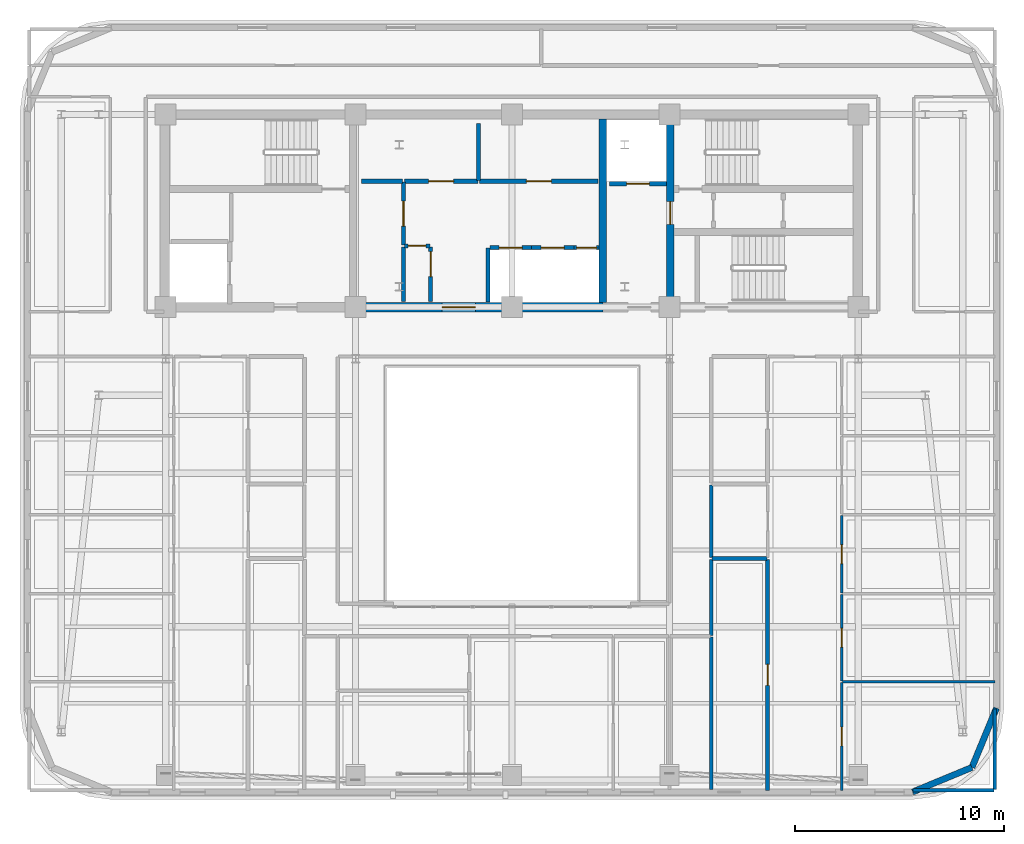
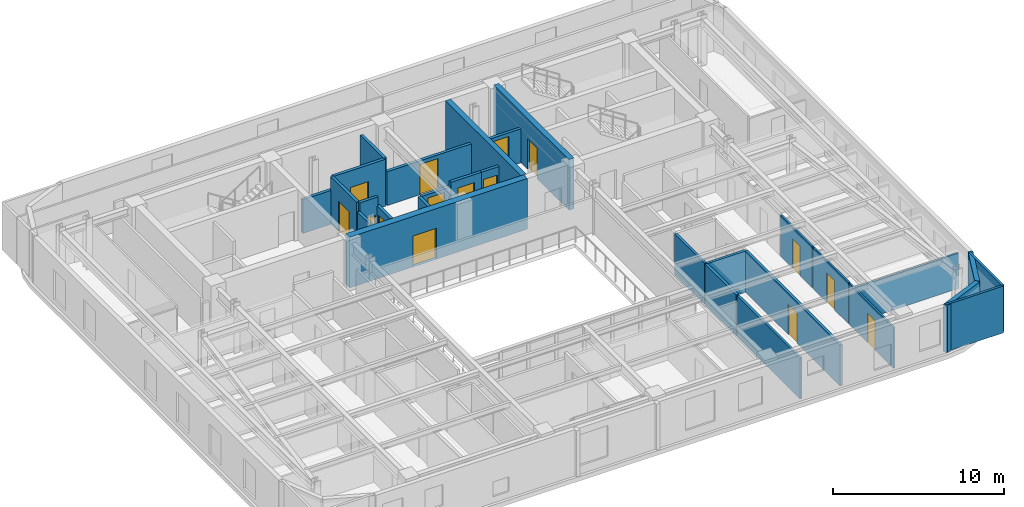
# One storey, part 8 of 14: 29 walls, 15 doors, 15 openings.
"""IFC4 building model written with IfcOpenShell, lengths in metres."""

from ifc_helpers import new_model, si_unit, direction, frame, frame_2d, origin, place, context, subcontext, project, spatial, rectangle, extrude, material, layer, layer_set, type_object, element, fill, save


model = new_model("IFC4")

# Units and contexts
model_context = context("Model", 3, precision=1e-05, world=origin(), true_north=direction((0.0, 1.0)))
body_context = subcontext(model_context, "Body", "Model", "MODEL_VIEW")
ifc_project = project(units=[si_unit("LENGTHUNIT", "METRE"), si_unit("AREAUNIT", "SQUARE_METRE"), si_unit("VOLUMEUNIT", "CUBIC_METRE"), si_unit("PLANEANGLEUNIT", "RADIAN"), si_unit("MASSUNIT", "GRAM", prefix="KILO")], contexts=[model_context])

# Site, building, storey
site_placement = place(None, origin())
site = spatial("IfcSite", under=ifc_project, at=site_placement, CompositionType="ELEMENT")
building_placement = place(site_placement, origin())
building = spatial("IfcBuilding", under=site, at=building_placement, Name="Zarnavel Station Tower", CompositionType="ELEMENT")
storey_placement = place(building_placement, frame((0.0, 0.0, 229.199951171875)))
storey = spatial("IfcBuildingStorey", under=building, at=storey_placement, Name="L62", CompositionType="ELEMENT", Elevation=229.199951171875)

# Wall
ifc_material_1 = material(Name="Concrete C50/60", Category="concrete")
ifc_layer_1 = layer(ifc_material_1, 0.35009765625)
ifc_layer_set_1 = layer_set([ifc_layer_1], Name="CW_350")
wall_type_1 = type_object("IfcWallType", Name="CW_350", PredefinedType="SHEAR", material=ifc_layer_set_1)
wall_1_placement = place(storey_placement, frame((33.14990234375, 28.044921875, 0.0), z_axis=(0.0, 0.0, 1.0), x_axis=(0.0, 1.0, 0.0)))
element("IfcWall", 1, at=wall_1_placement, inside=storey, type_object=wall_type_1, Name="L62 Rear Core Shear Wall DIV-E", PredefinedType="SHEAR", context=body_context, shape_type="SweptSolid", body=[
    extrude(rectangle(XDim=8.780029296875, YDim=0.35009765625, at=frame_2d((4.39013671875, 0.0))), origin(), (0.0, 0.0, 1.0), 3.60009765625),
])

# Wall, opening, door
wall_2_placement = place(storey_placement, frame((36.3798828125, 28.044921875, 0.0), z_axis=(0.0, 0.0, 1.0), x_axis=(0.0, 1.0, 0.0)))
wall_2 = element("IfcWall", 2, at=wall_2_placement, inside=storey, type_object=wall_type_1, Name="L62 Rear Core Shear Wall DIV-S2", PredefinedType="SHEAR", context=body_context, shape_type="SweptSolid", body=[
    extrude(rectangle(XDim=8.780029296875, YDim=0.35009765625, at=frame_2d((4.39013671875, 0.0))), origin(), (0.0, 0.0, 1.0), 3.60009765625),
])
opening_1_placement = place(wall_2_placement, frame((3.735107421875, 0.0, 0.0)))
opening_1 = element("IfcOpeningElement", 3, at=opening_1_placement, cuts=wall_2, Name="Opening FD01", PredefinedType="OPENING", context=body_context, shape_type="SweptSolid", body=[
    extrude(rectangle(XDim=1.10009765625, YDim=2.14990234375, at=frame_2d((0.550048828125, 1.074951171875))), frame((0.0, 0.18505859375, 0.0), z_axis=(0.0, -1.0, 0.0), x_axis=(1.0, 0.0, 0.0)), (0.0, 0.0, 1.0), 0.3701171875),
])
ifc_material_2 = material(Name="Painted Galvanised Steel and Hardwood Leaf", Category="steel")
door_type_1 = type_object("IfcDoorType", Name="ID_STAIR_1100", OperationType="NOTDEFINED", PredefinedType="DOOR", material=ifc_material_2)
door_1_placement = place(opening_1_placement, origin())
door_1 = element("IfcDoor", 4, at=door_1_placement, inside=storey, type_object=door_type_1, Name="L62 East Stair Vestibule Fire Door", OperationType="SINGLE_SWING_LEFT", OverallHeight=2.14990234375, OverallWidth=1.10009765625, PredefinedType="DOOR", context=body_context, shape_type="SweptSolid", body=[
    extrude(rectangle(XDim=1.10009765625, YDim=2.14990234375, at=frame_2d((0.550048828125, 1.074951171875))), frame((0.0, 0.02490234375, 0.0), z_axis=(0.0, -1.0, 0.0), x_axis=(1.0, 0.0, 0.0)), (0.0, 0.0, 1.0), 0.050048828125),
])
fill(opening_1, door_1)

ifc_material_3 = material(Name="Concrete C50/60", Category="concrete")
ifc_layer_2 = layer(ifc_material_3, 0.449951171875)
ifc_layer_set_2 = layer_set([ifc_layer_2], Name="CW_450")
wall_type_2 = type_object("IfcWallType", Name="CW_450", PredefinedType="SHEAR", material=ifc_layer_set_2)
wall_3_placement = place(storey_placement, frame((33.14990234375, 27.820068359375, 0.0), z_axis=(0.0, 0.0, 1.0), x_axis=(-1.0, 0.0, 0.0)))
wall_3 = element("IfcWall", 5, at=wall_3_placement, inside=storey, type_object=wall_type_2, Name="L62 Rear Core Shear Wall S-M", PredefinedType="SHEAR", context=body_context, shape_type="SweptSolid", body=[
    extrude(rectangle(XDim=11.969970703125, YDim=0.449951171875, at=frame_2d((5.98486328125, 0.0))), origin(), (0.0, 0.0, 1.0), 3.60009765625),
])
opening_2_placement = place(wall_3_placement, frame((6.10009765625, 0.0, 0.0)))
opening_2 = element("IfcOpeningElement", 6, at=opening_2_placement, cuts=wall_3, Name="Opening ID03", PredefinedType="OPENING", context=body_context, shape_type="SweptSolid", body=[
    extrude(rectangle(XDim=1.60009765625, YDim=2.199951171875, at=frame_2d((0.800048828125, 1.10009765625))), frame((0.0, 0.23486328125, 0.0), z_axis=(0.0, -1.0, 0.0), x_axis=(1.0, 0.0, 0.0)), (0.0, 0.0, 1.0), 0.469970703125),
])
ifc_material_4 = material(Name="Painted Galvanised Steel and Hardwood Leaf", Category="steel")
door_type_2 = type_object("IfcDoorType", Name="ID_PUBLIC_1600", OperationType="DOUBLE_DOOR_SINGLE_SWING", PredefinedType="DOOR", material=ifc_material_4)
door_2_placement = place(opening_2_placement, origin())
door_2 = element("IfcDoor", 7, at=door_2_placement, inside=storey, type_object=door_type_2, Name="L62 Passenger Lift Lobby Double Door", OperationType="SINGLE_SWING_LEFT", OverallHeight=2.199951171875, OverallWidth=1.60009765625, PredefinedType="DOOR", context=body_context, shape_type="SweptSolid", body=[
    extrude(rectangle(XDim=1.60009765625, YDim=2.199951171875, at=frame_2d((0.800048828125, 1.10009765625))), frame((0.0, 0.02490234375, 0.0), z_axis=(0.0, -1.0, 0.0), x_axis=(1.0, 0.0, 0.0)), (0.0, 0.0, 1.0), 0.050048828125),
])
fill(opening_2, door_2)

# Walls
ifc_material_5 = material(Name="Precast concrete C45/55 (Dark Basalt Finish)", Category="masonry")
ifc_layer_3 = layer(ifc_material_5, 0.300048828125)
ifc_layer_set_3 = layer_set([ifc_layer_3], Name="EW_BASALT_300")
wall_type_3 = type_object("IfcWallType", Name="EW_BASALT_300", PredefinedType="SOLIDWALL", material=ifc_layer_set_3)
wall_4_placement = place(storey_placement, frame((50.842529296875, 5.75732421875, 0.0), z_axis=(0.0, 0.0, 1.0), x_axis=(-0.92389884758, -0.382636798336, 0.0)))
element("IfcWall", 8, at=wall_4_placement, inside=storey, type_object=wall_type_3, Name="L62 Exterior Basalt Masonry Frame Wall 01", PredefinedType="SOLIDWALL", context=body_context, shape_type="SweptSolid", body=[
    extrude(rectangle(XDim=3.07666015625, YDim=0.300048828125, at=frame_2d((1.538330078125, 0.0))), origin(), (0.0, 0.0, 1.0), 3.340087890625),
])
wall_5_placement = place(storey_placement, frame((52.02001953125, 8.60009765625, 0.0), z_axis=(0.0, 0.0, 1.0), x_axis=(-0.382676475685, -0.923882414032, 0.0)))
element("IfcWall", 9, at=wall_5_placement, inside=storey, type_object=wall_type_3, Name="L62 Exterior Basalt Masonry Frame Wall 02", PredefinedType="SOLIDWALL", context=body_context, shape_type="SweptSolid", body=[
    extrude(rectangle(XDim=3.076904296875, YDim=0.300048828125, at=frame_2d((1.53857421875, 0.0))), origin(), (0.0, 0.0, 1.0), 3.340087890625),
])
ifc_material_6 = material(Name="Gypsum Twin-Stud Acoustic Fire Partition", Category="concrete")
ifc_layer_4 = layer(ifc_material_6, 0.159912109375)
ifc_layer_set_4 = layer_set([ifc_layer_4], Name="PT_DEMISE_160")
wall_type_4 = type_object("IfcWallType", Name="PT_DEMISE_160", PredefinedType="PARTITIONING", material=ifc_layer_set_4)
wall_6_placement = place(storey_placement, frame((38.35009765625, 15.81103515625, 0.0), z_axis=(0.0, 0.0, 1.0), x_axis=(0.0, 1.0, 0.0)))
element("IfcWall", 10, at=wall_6_placement, inside=storey, type_object=wall_type_4, Name="L62 Partition COR-AE-UE1UT", PredefinedType="PARTITIONING", context=body_context, shape_type="SweptSolid", body=[
    extrude(rectangle(XDim=3.488037109375, YDim=0.159912109375, at=frame_2d((1.744140625, 0.0))), origin(), (0.0, 0.0, 1.0), 2.920166015625),
])
wall_7_placement = place(storey_placement, frame((38.35009765625, 4.68994140625, 0.0), z_axis=(0.0, 0.0, 1.0), x_axis=(0.0, 1.0, 0.0)))
element("IfcWall", 11, at=wall_7_placement, inside=storey, type_object=wall_type_4, Name="L62 Enclosure Wall UE1KT", PredefinedType="PARTITIONING", context=body_context, shape_type="SweptSolid", body=[
    extrude(rectangle(XDim=7.330078125, YDim=0.159912109375, at=frame_2d((3.6650390625, 0.0))), origin(), (0.0, 0.0, 1.0), 2.920166015625),
])
wall_8_placement = place(storey_placement, frame((48.030029296875, 4.659912109375, 0.0), z_axis=(0.0, 0.0, 1.0), x_axis=(1.0, 0.0, 0.0)))
element("IfcWall", 12, at=wall_8_placement, inside=storey, type_object=wall_type_4, Name="L62 Enclosure Wall UE1B1", PredefinedType="PARTITIONING", context=body_context, shape_type="SweptSolid", body=[
    extrude(rectangle(XDim=3.8798828125, YDim=0.159912109375, at=frame_2d((1.93994140625, 0.0))), origin(), (0.0, 0.0, 1.0), 3.340087890625),
])
wall_9_placement = place(storey_placement, frame((51.93994140625, 4.68994140625, 0.0), z_axis=(0.0, 0.0, 1.0), x_axis=(0.0, 1.0, 0.0)))
element("IfcWall", 13, at=wall_9_placement, inside=storey, type_object=wall_type_4, Name="L62 Enclosure Wall UE1B1", PredefinedType="PARTITIONING", context=body_context, shape_type="SweptSolid", body=[
    extrude(rectangle(XDim=3.880126953125, YDim=0.159912109375, at=frame_2d((1.93994140625, 0.0))), origin(), (0.0, 0.0, 1.0), 3.340087890625),
])

# Wall, opening, door
ifc_material_7 = material(Name="Gypsum Metal-Stud Interior Partition", Category="concrete")
ifc_layer_5 = layer(ifc_material_7, 0.1201171875)
ifc_layer_set_5 = layer_set([ifc_layer_5], Name="PT_ROOM_120")
wall_type_5 = type_object("IfcWallType", Name="PT_ROOM_120", PredefinedType="PARTITIONING", material=ifc_layer_set_5)
wall_10_placement = place(storey_placement, frame((44.60888671875, 4.659912109375, 0.0), z_axis=(0.0, 0.0, 1.0), x_axis=(0.0, 1.0, 0.0)))
wall_10 = element("IfcWall", 14, at=wall_10_placement, inside=storey, type_object=wall_type_5, Name="L62 Partition UE1LV-UE1B1", PredefinedType="PARTITIONING", context=body_context, shape_type="SweptSolid", body=[
    extrude(rectangle(XDim=5.156982421875, YDim=0.1201171875, at=frame_2d((2.57861328125, 0.0))), origin(), (0.0, 0.0, 1.0), 2.920166015625),
])
opening_3_placement = place(wall_10_placement, frame((2.12841796875, 0.0, 0.0)))
opening_3 = element("IfcOpeningElement", 15, at=opening_3_placement, cuts=wall_10, Name="Opening ID01", PredefinedType="OPENING", context=body_context, shape_type="SweptSolid", body=[
    extrude(rectangle(XDim=0.89990234375, YDim=2.10009765625, at=frame_2d((0.449951171875, 1.050048828125))), frame((0.0, 0.070068359375, 0.0), z_axis=(0.0, -1.0, 0.0), x_axis=(1.0, 0.0, 0.0)), (0.0, 0.0, 1.0), 0.14013671875),
])
ifc_material_8 = material(Name="Painted Galvanised Steel and Hardwood Leaf", Category="steel")
door_type_3 = type_object("IfcDoorType", Name="ID_ROOM_900", OperationType="NOTDEFINED", PredefinedType="DOOR", material=ifc_material_8)
door_3_placement = place(opening_3_placement, origin())
door_3 = element("IfcDoor", 16, at=door_3_placement, inside=storey, type_object=door_type_3, Name="L62 Door UE1LV-UE1B1", OperationType="SINGLE_SWING_RIGHT", OverallHeight=2.10009765625, OverallWidth=0.89990234375, PredefinedType="DOOR", context=body_context, shape_type="SweptSolid", body=[
    extrude(rectangle(XDim=0.89990234375, YDim=2.10009765625, at=frame_2d((0.449951171875, 1.050048828125))), frame((0.0, 0.02490234375, 0.0), z_axis=(0.0, -1.0, 0.0), x_axis=(1.0, 0.0, 0.0)), (0.0, 0.0, 1.0), 0.050048828125),
])
fill(opening_3, door_3)

wall_11_placement = place(storey_placement, frame((44.60888671875, 9.89697265625, 0.0), z_axis=(0.0, 0.0, 1.0), x_axis=(0.0, 1.0, 0.0)))
wall_11 = element("IfcWall", 17, at=wall_11_placement, inside=storey, type_object=wall_type_5, Name="L62 Partition UE1LV-UE1B2", PredefinedType="PARTITIONING", context=body_context, shape_type="SweptSolid", body=[
    extrude(rectangle(XDim=4.14794921875, YDim=0.1201171875, at=frame_2d((2.073974609375, 0.0))), origin(), (0.0, 0.0, 1.0), 2.929931640625),
])
opening_4_placement = place(wall_11_placement, frame((1.6240234375, 0.0, 0.0)))
opening_4 = element("IfcOpeningElement", 18, at=opening_4_placement, cuts=wall_11, Name="Opening ID01", PredefinedType="OPENING", context=body_context, shape_type="SweptSolid", body=[
    extrude(rectangle(XDim=0.89990234375, YDim=2.10009765625, at=frame_2d((0.449951171875, 1.050048828125))), frame((0.0, 0.070068359375, 0.0), z_axis=(0.0, -1.0, 0.0), x_axis=(1.0, 0.0, 0.0)), (0.0, 0.0, 1.0), 0.14013671875),
])
door_4_placement = place(opening_4_placement, origin())
door_4 = element("IfcDoor", 19, at=door_4_placement, inside=storey, type_object=door_type_3, Name="L62 Door UE1LV-UE1B2", OperationType="SINGLE_SWING_LEFT", OverallHeight=2.10009765625, OverallWidth=0.89990234375, PredefinedType="DOOR", context=body_context, shape_type="SweptSolid", body=[
    extrude(rectangle(XDim=0.89990234375, YDim=2.10009765625, at=frame_2d((0.449951171875, 1.050048828125))), frame((0.0, 0.02490234375, 0.0), z_axis=(0.0, -1.0, 0.0), x_axis=(1.0, 0.0, 0.0)), (0.0, 0.0, 1.0), 0.050048828125),
])
fill(opening_4, door_4)

wall_12_placement = place(storey_placement, frame((44.60888671875, 14.125, 0.0), z_axis=(0.0, 0.0, 1.0), x_axis=(0.0, 1.0, 0.0)))
wall_12 = element("IfcWall", 20, at=wall_12_placement, inside=storey, type_object=wall_type_5, Name="L62 Partition UE1LV-UE1B3", PredefinedType="PARTITIONING", context=body_context, shape_type="SweptSolid", body=[
    extrude(rectangle(XDim=3.7080078125, YDim=0.1201171875, at=frame_2d((1.85400390625, 0.0))), origin(), (0.0, 0.0, 1.0), 2.920166015625),
])
opening_5_placement = place(wall_12_placement, frame((1.404052734375, 0.0, 0.0)))
opening_5 = element("IfcOpeningElement", 21, at=opening_5_placement, cuts=wall_12, Name="Opening ID01", PredefinedType="OPENING", context=body_context, shape_type="SweptSolid", body=[
    extrude(rectangle(XDim=0.89990234375, YDim=2.10009765625, at=frame_2d((0.449951171875, 1.050048828125))), frame((0.0, 0.070068359375, 0.0), z_axis=(0.0, -1.0, 0.0), x_axis=(1.0, 0.0, 0.0)), (0.0, 0.0, 1.0), 0.14013671875),
])
door_5_placement = place(opening_5_placement, origin())
door_5 = element("IfcDoor", 22, at=door_5_placement, inside=storey, type_object=door_type_3, Name="L62 Door UE1LV-UE1B3", OperationType="SINGLE_SWING_RIGHT", OverallHeight=2.10009765625, OverallWidth=0.89990234375, PredefinedType="DOOR", context=body_context, shape_type="SweptSolid", body=[
    extrude(rectangle(XDim=0.89990234375, YDim=2.10009765625, at=frame_2d((0.449951171875, 1.050048828125))), frame((0.0, 0.02490234375, 0.0), z_axis=(0.0, -1.0, 0.0), x_axis=(1.0, 0.0, 0.0)), (0.0, 0.0, 1.0), 0.050048828125),
])
fill(opening_5, door_5)

# Wall
wall_13_placement = place(storey_placement, frame((44.64892578125, 9.85693359375, 0.0), z_axis=(0.0, 0.0, 1.0), x_axis=(1.0, 0.0, 0.0)))
element("IfcWall", 23, at=wall_13_placement, inside=storey, type_object=wall_type_5, Name="L62 Partition UE1B1-UE1B2", PredefinedType="PARTITIONING", context=body_context, shape_type="SweptSolid", body=[
    extrude(rectangle(XDim=7.291015625, YDim=0.1201171875, at=frame_2d((3.6455078125, 0.0))), origin(), (0.0, 0.0, 1.0), 2.52001953125),
])

# Wall, opening, door
ifc_material_9 = material(Name="Precast concrete C45/55 (Fire Shaft Blockwork)", Category="masonry")
ifc_layer_6 = layer(ifc_material_9, 0.199951171875)
ifc_layer_set_6 = layer_set([ifc_layer_6], Name="PT_SHAFT_200")
wall_type_6 = type_object("IfcWallType", Name="PT_SHAFT_200", PredefinedType="PARTITIONING", material=ifc_layer_set_6)
wall_14_placement = place(storey_placement, frame((33.47509765625, 33.72998046875, 0.0), z_axis=(0.0, 0.0, 1.0), x_axis=(1.0, 0.0, 0.0)))
wall_14 = element("IfcWall", 24, at=wall_14_placement, inside=storey, type_object=wall_type_6, Name="L62 Lift FFL-02 Shaft Front Wall", PredefinedType="PARTITIONING", context=body_context, shape_type="SweptSolid", body=[
    extrude(rectangle(XDim=2.724853515625, YDim=0.199951171875, at=frame_2d((1.3623046875, 0.0))), origin(), (0.0, 0.0, 1.0), 2.41015625),
])
opening_6_placement = place(wall_14_placement, frame((0.8125, 0.0, 0.0)))
opening_6 = element("IfcOpeningElement", 25, at=opening_6_placement, cuts=wall_14, Name="Opening LD01", PredefinedType="OPENING", context=body_context, shape_type="SweptSolid", body=[
    extrude(rectangle(XDim=1.10009765625, YDim=2.14990234375, at=frame_2d((0.550048828125, 1.074951171875))), frame((0.0, 0.10986328125, 0.0), z_axis=(0.0, -1.0, 0.0), x_axis=(1.0, 0.0, 0.0)), (0.0, 0.0, 1.0), 0.219970703125),
])
ifc_material_10 = material(Name="Painted Galvanised Steel and Hardwood Leaf", Category="steel")
door_type_4 = type_object("IfcDoorType", Name="LD_FF_1100", OperationType="DOUBLE_DOOR_SLIDING", PredefinedType="DOOR", material=ifc_material_10)
door_6_placement = place(opening_6_placement, origin())
door_6 = element("IfcDoor", 26, at=door_6_placement, inside=storey, type_object=door_type_4, Name="L62 Lift FFL-02 Sliding Landing Door", OperationType="DOUBLE_DOOR_SLIDING", OverallHeight=2.14990234375, OverallWidth=1.10009765625, PredefinedType="DOOR", context=body_context, shape_type="SweptSolid", body=[
    extrude(rectangle(XDim=1.10009765625, YDim=2.14990234375, at=frame_2d((0.550048828125, 1.074951171875))), frame((0.0, 0.02490234375, 0.0), z_axis=(0.0, -1.0, 0.0), x_axis=(1.0, 0.0, 0.0)), (0.0, 0.0, 1.0), 0.050048828125),
])
fill(opening_6, door_6)

wall_15_placement = place(storey_placement, frame((27.75, 30.669921875, 0.0), z_axis=(0.0, 0.0, 1.0), x_axis=(1.0, 0.0, 0.0)))
wall_15 = element("IfcWall", 27, at=wall_15_placement, inside=storey, type_object=wall_type_6, Name="L62 Lift PL-H1 Shaft Front Wall", PredefinedType="PARTITIONING", context=body_context, shape_type="SweptSolid", body=[
    extrude(rectangle(XDim=1.97509765625, YDim=0.199951171875, at=frame_2d((0.987548828125, 0.0))), origin(), (0.0, 0.0, 1.0), 2.41015625),
])
opening_7_placement = place(wall_15_placement, frame((0.4375, 0.0, 0.0)))
opening_7 = element("IfcOpeningElement", 28, at=opening_7_placement, cuts=wall_15, Name="Opening LD02", PredefinedType="OPENING", context=body_context, shape_type="SweptSolid", body=[
    extrude(rectangle(XDim=1.10009765625, YDim=2.14990234375, at=frame_2d((0.550048828125, 1.074951171875))), frame((0.0, 0.10986328125, 0.0), z_axis=(0.0, -1.0, 0.0), x_axis=(1.0, 0.0, 0.0)), (0.0, 0.0, 1.0), 0.219970703125),
])
ifc_material_11 = material(Name="Painted Galvanised Steel and Hardwood Leaf", Category="steel")
door_type_5 = type_object("IfcDoorType", Name="LD_PAX_1100", OperationType="DOUBLE_DOOR_SLIDING", PredefinedType="DOOR", material=ifc_material_11)
door_7_placement = place(opening_7_placement, origin())
door_7 = element("IfcDoor", 29, at=door_7_placement, inside=storey, type_object=door_type_5, Name="L62 Lift PL-H1 Sliding Landing Door", OperationType="DOUBLE_DOOR_SLIDING", OverallHeight=2.14990234375, OverallWidth=1.10009765625, PredefinedType="DOOR", context=body_context, shape_type="SweptSolid", body=[
    extrude(rectangle(XDim=1.10009765625, YDim=2.14990234375, at=frame_2d((0.550048828125, 1.074951171875))), frame((0.0, 0.02490234375, 0.0), z_axis=(0.0, -1.0, 0.0), x_axis=(1.0, 0.0, 0.0)), (0.0, 0.0, 1.0), 0.050048828125),
])
fill(opening_7, door_7)

# Wall
wall_16_placement = place(storey_placement, frame((27.64990234375, 28.070068359375, 0.0), z_axis=(0.0, 0.0, 1.0), x_axis=(0.0, 1.0, 0.0)))
element("IfcWall", 30, at=wall_16_placement, inside=storey, type_object=wall_type_6, Name="L62 High-Rise Lift Bank West Shaft Wall", PredefinedType="PARTITIONING", context=body_context, shape_type="SweptSolid", body=[
    extrude(rectangle(XDim=2.579833984375, YDim=0.199951171875, at=frame_2d((1.2900390625, 0.0))), origin(), (0.0, 0.0, 1.0), 2.41015625),
])

# Wall, opening, door
wall_17_placement = place(storey_placement, frame((29.72509765625, 30.669921875, 0.0), z_axis=(0.0, 0.0, 1.0), x_axis=(1.0, 0.0, 0.0)))
wall_17 = element("IfcWall", 31, at=wall_17_placement, inside=storey, type_object=wall_type_6, Name="L62 Lift PL-H2 Shaft Front Wall", PredefinedType="PARTITIONING", context=body_context, shape_type="SweptSolid", body=[
    extrude(rectangle(XDim=2.0498046875, YDim=0.199951171875, at=frame_2d((1.02490234375, 0.0))), origin(), (0.0, 0.0, 1.0), 2.719970703125),
])
opening_8_placement = place(wall_17_placement, frame((0.47509765625, 0.0, 0.0)))
opening_8 = element("IfcOpeningElement", 32, at=opening_8_placement, cuts=wall_17, Name="Opening LD02", PredefinedType="OPENING", context=body_context, shape_type="SweptSolid", body=[
    extrude(rectangle(XDim=1.10009765625, YDim=2.14990234375, at=frame_2d((0.550048828125, 1.074951171875))), frame((0.0, 0.10986328125, 0.0), z_axis=(0.0, -1.0, 0.0), x_axis=(1.0, 0.0, 0.0)), (0.0, 0.0, 1.0), 0.219970703125),
])
door_8_placement = place(opening_8_placement, origin())
door_8 = element("IfcDoor", 33, at=door_8_placement, inside=storey, type_object=door_type_5, Name="L62 Lift PL-H2 Sliding Landing Door", OperationType="DOUBLE_DOOR_SLIDING", OverallHeight=2.14990234375, OverallWidth=1.10009765625, PredefinedType="DOOR", context=body_context, shape_type="SweptSolid", body=[
    extrude(rectangle(XDim=1.10009765625, YDim=2.14990234375, at=frame_2d((0.550048828125, 1.074951171875))), frame((0.0, 0.02490234375, 0.0), z_axis=(0.0, -1.0, 0.0), x_axis=(1.0, 0.0, 0.0)), (0.0, 0.0, 1.0), 0.050048828125),
])
fill(opening_8, door_8)

wall_18_placement = place(storey_placement, frame((31.77490234375, 30.669921875, 0.0), z_axis=(0.0, 0.0, 1.0), x_axis=(1.0, 0.0, 0.0)))
wall_18 = element("IfcWall", 34, at=wall_18_placement, inside=storey, type_object=wall_type_6, Name="L62 Lift PL-H3 Shaft Front Wall", PredefinedType="PARTITIONING", context=body_context, shape_type="SweptSolid", body=[
    extrude(rectangle(XDim=1.2001953125, YDim=0.199951171875, at=frame_2d((0.60009765625, 0.0))), origin(), (0.0, 0.0, 1.0), 2.719970703125),
])
opening_9_placement = place(wall_18_placement, frame((0.125, 0.0, 0.0)))
opening_9 = element("IfcOpeningElement", 35, at=opening_9_placement, cuts=wall_18, Name="Opening LD03", PredefinedType="OPENING", context=body_context, shape_type="SweptSolid", body=[
    extrude(rectangle(XDim=0.949951171875, YDim=2.14990234375, at=frame_2d((0.47509765625, 1.074951171875))), frame((0.0, 0.10986328125, 0.0), z_axis=(0.0, -1.0, 0.0), x_axis=(1.0, 0.0, 0.0)), (0.0, 0.0, 1.0), 0.219970703125),
])
ifc_material_12 = material(Name="Painted Galvanised Steel and Hardwood Leaf", Category="steel")
door_type_6 = type_object("IfcDoorType", Name="LD_PAX_0950", OperationType="DOUBLE_DOOR_SLIDING", PredefinedType="DOOR", material=ifc_material_12)
door_9_placement = place(opening_9_placement, origin())
door_9 = element("IfcDoor", 36, at=door_9_placement, inside=storey, type_object=door_type_6, Name="L62 Lift PL-H3 Sliding Landing Door", OperationType="DOUBLE_DOOR_SLIDING", OverallHeight=2.14990234375, OverallWidth=0.949951171875, PredefinedType="DOOR", context=body_context, shape_type="SweptSolid", body=[
    extrude(rectangle(XDim=0.949951171875, YDim=2.14990234375, at=frame_2d((0.47509765625, 1.074951171875))), frame((0.0, 0.02490234375, 0.0), z_axis=(0.0, -1.0, 0.0), x_axis=(1.0, 0.0, 0.0)), (0.0, 0.0, 1.0), 0.050048828125),
])
fill(opening_9, door_9)

wall_19_placement = place(storey_placement, frame((23.60009765625, 30.7900390625, 0.0), z_axis=(0.0, 0.0, 1.0), x_axis=(0.0, 1.0, 0.0)))
wall_19 = element("IfcWall", 37, at=wall_19_placement, inside=storey, type_object=wall_type_6, Name="L62 Partition LLOB-CS1", PredefinedType="PARTITIONING", context=body_context, shape_type="SweptSolid", body=[
    extrude(rectangle(XDim=3.02001953125, YDim=0.199951171875, at=frame_2d((1.510009765625, 0.0))), origin(), (0.0, 0.0, 1.0), 3.340087890625),
])
opening_10_placement = place(wall_19_placement, frame((0.909912109375, 0.0, 0.0)))
opening_10 = element("IfcOpeningElement", 38, at=opening_10_placement, cuts=wall_19, Name="Opening FD03", PredefinedType="OPENING", context=body_context, shape_type="SweptSolid", body=[
    extrude(rectangle(XDim=1.199951171875, YDim=2.14990234375, at=frame_2d((0.60009765625, 1.074951171875))), frame((0.0, 0.10986328125, 0.0), z_axis=(0.0, -1.0, 0.0), x_axis=(1.0, 0.0, 0.0)), (0.0, 0.0, 1.0), 0.219970703125),
])
ifc_material_13 = material(Name="Painted Galvanised Steel and Hardwood Leaf", Category="steel")
door_type_7 = type_object("IfcDoorType", Name="ID_PLANT_1200", OperationType="NOTDEFINED", PredefinedType="DOOR", material=ifc_material_13)
door_10_placement = place(opening_10_placement, origin())
door_10 = element("IfcDoor", 39, at=door_10_placement, inside=storey, type_object=door_type_7, Name="L62 Door LLOB-CS1", OperationType="SINGLE_SWING_RIGHT", OverallHeight=2.14990234375, OverallWidth=1.199951171875, PredefinedType="DOOR", context=body_context, shape_type="SweptSolid", body=[
    extrude(rectangle(XDim=1.199951171875, YDim=2.14990234375, at=frame_2d((0.60009765625, 1.074951171875))), frame((0.0, 0.02490234375, 0.0), z_axis=(0.0, -1.0, 0.0), x_axis=(1.0, 0.0, 0.0)), (0.0, 0.0, 1.0), 0.050048828125),
])
fill(opening_10, door_10)

wall_20_placement = place(storey_placement, frame((23.639892578125, 30.75, 0.0), z_axis=(0.0, 0.0, 1.0), x_axis=(1.0, 0.0, 0.0)))
wall_20 = element("IfcWall", 40, at=wall_20_placement, inside=storey, type_object=wall_type_6, Name="L62 Partition LLOB-CS2", PredefinedType="PARTITIONING", context=body_context, shape_type="SweptSolid", body=[
    extrude(rectangle(XDim=1.22021484375, YDim=0.199951171875, at=frame_2d((0.610107421875, 0.0))), origin(), (0.0, 0.0, 1.0), 3.340087890625),
])
opening_11_placement = place(wall_20_placement, frame((0.18505859375, 0.0, 0.0)))
opening_11 = element("IfcOpeningElement", 41, at=opening_11_placement, cuts=wall_20, Name="Opening ID02", PredefinedType="OPENING", context=body_context, shape_type="SweptSolid", body=[
    extrude(rectangle(XDim=0.85009765625, YDim=2.10009765625, at=frame_2d((0.425048828125, 1.050048828125))), frame((0.0, 0.10986328125, 0.0), z_axis=(0.0, -1.0, 0.0), x_axis=(1.0, 0.0, 0.0)), (0.0, 0.0, 1.0), 0.219970703125),
])
ifc_material_14 = material(Name="Painted Galvanised Steel and Hardwood Leaf", Category="steel")
door_type_8 = type_object("IfcDoorType", Name="ID_BATH_850", OperationType="NOTDEFINED", PredefinedType="DOOR", material=ifc_material_14)
door_11_placement = place(opening_11_placement, origin())
door_11 = element("IfcDoor", 42, at=door_11_placement, inside=storey, type_object=door_type_8, Name="L62 Door LLOB-CS2", OperationType="SINGLE_SWING_LEFT", OverallHeight=2.10009765625, OverallWidth=0.85009765625, PredefinedType="DOOR", context=body_context, shape_type="SweptSolid", body=[
    extrude(rectangle(XDim=0.85009765625, YDim=2.10009765625, at=frame_2d((0.425048828125, 1.050048828125))), frame((0.0, 0.02490234375, 0.0), z_axis=(0.0, -1.0, 0.0), x_axis=(1.0, 0.0, 0.0)), (0.0, 0.0, 1.0), 0.050048828125),
])
fill(opening_11, door_11)

wall_21_placement = place(storey_placement, frame((23.639892578125, 33.85009765625, 0.0), z_axis=(0.0, 0.0, 1.0), x_axis=(1.0, 0.0, 0.0)))
wall_21 = element("IfcWall", 43, at=wall_21_placement, inside=storey, type_object=wall_type_6, Name="L62 Partition LLOB-FB2A", PredefinedType="PARTITIONING", context=body_context, shape_type="SweptSolid", body=[
    extrude(rectangle(XDim=3.52001953125, YDim=0.199951171875, at=frame_2d((1.760009765625, 0.0))), origin(), (0.0, 0.0, 1.0), 3.340087890625),
])
opening_12_placement = place(wall_21_placement, frame((1.159912109375, 0.0, 0.0)))
opening_12 = element("IfcOpeningElement", 44, at=opening_12_placement, cuts=wall_21, Name="Opening FD03", PredefinedType="OPENING", context=body_context, shape_type="SweptSolid", body=[
    extrude(rectangle(XDim=1.199951171875, YDim=2.14990234375, at=frame_2d((0.60009765625, 1.074951171875))), frame((0.0, 0.10986328125, 0.0), z_axis=(0.0, -1.0, 0.0), x_axis=(1.0, 0.0, 0.0)), (0.0, 0.0, 1.0), 0.219970703125),
])
door_12_placement = place(opening_12_placement, origin())
door_12 = element("IfcDoor", 45, at=door_12_placement, inside=storey, type_object=door_type_7, Name="L62 Door LLOB-FB2A", OperationType="SINGLE_SWING_RIGHT", OverallHeight=2.14990234375, OverallWidth=1.199951171875, PredefinedType="DOOR", context=body_context, shape_type="SweptSolid", body=[
    extrude(rectangle(XDim=1.199951171875, YDim=2.14990234375, at=frame_2d((0.60009765625, 1.074951171875))), frame((0.0, 0.02490234375, 0.0), z_axis=(0.0, -1.0, 0.0), x_axis=(1.0, 0.0, 0.0)), (0.0, 0.0, 1.0), 0.050048828125),
])
fill(opening_12, door_12)

wall_22_placement = place(storey_placement, frame((27.239990234375, 33.85009765625, 0.0), z_axis=(0.0, 0.0, 1.0), x_axis=(1.0, 0.0, 0.0)))
wall_22 = element("IfcWall", 46, at=wall_22_placement, inside=storey, type_object=wall_type_6, Name="L62 Partition LLOB-FB2B", PredefinedType="PARTITIONING", context=body_context, shape_type="SweptSolid", body=[
    extrude(rectangle(XDim=5.68994140625, YDim=0.199951171875, at=frame_2d((2.844970703125, 0.0))), origin(), (0.0, 0.0, 1.0), 2.41015625),
])
opening_13_placement = place(wall_22_placement, frame((2.2451171875, 0.0, 0.0)))
opening_13 = element("IfcOpeningElement", 47, at=opening_13_placement, cuts=wall_22, Name="Opening FD03", PredefinedType="OPENING", context=body_context, shape_type="SweptSolid", body=[
    extrude(rectangle(XDim=1.199951171875, YDim=2.14990234375, at=frame_2d((0.60009765625, 1.074951171875))), frame((0.0, 0.10986328125, 0.0), z_axis=(0.0, -1.0, 0.0), x_axis=(1.0, 0.0, 0.0)), (0.0, 0.0, 1.0), 0.219970703125),
])
door_13_placement = place(opening_13_placement, origin())
door_13 = element("IfcDoor", 48, at=door_13_placement, inside=storey, type_object=door_type_7, Name="L62 Door LLOB-FB2B", OperationType="SINGLE_SWING_LEFT", OverallHeight=2.14990234375, OverallWidth=1.199951171875, PredefinedType="DOOR", context=body_context, shape_type="SweptSolid", body=[
    extrude(rectangle(XDim=1.199951171875, YDim=2.14990234375, at=frame_2d((0.60009765625, 1.074951171875))), frame((0.0, 0.02490234375, 0.0), z_axis=(0.0, -1.0, 0.0), x_axis=(1.0, 0.0, 0.0)), (0.0, 0.0, 1.0), 0.050048828125),
])
fill(opening_13, door_13)

wall_23_placement = place(storey_placement, frame((24.89990234375, 28.090087890625, 0.0), z_axis=(0.0, 0.0, 1.0), x_axis=(0.0, 1.0, 0.0)))
wall_23 = element("IfcWall", 49, at=wall_23_placement, inside=storey, type_object=wall_type_6, Name="L62 Partition LLOBS-CS2", PredefinedType="PARTITIONING", context=body_context, shape_type="SweptSolid", body=[
    extrude(rectangle(XDim=2.619873046875, YDim=0.199951171875, at=frame_2d((1.31005859375, 0.0))), origin(), (0.0, 0.0, 1.0), 2.719970703125),
])
opening_14_placement = place(wall_23_placement, frame((1.18505859375, 0.0, 0.0)))
opening_14 = element("IfcOpeningElement", 50, at=opening_14_placement, cuts=wall_23, Name="Opening FD03", PredefinedType="OPENING", context=body_context, shape_type="SweptSolid", body=[
    extrude(rectangle(XDim=1.199951171875, YDim=2.14990234375, at=frame_2d((0.60009765625, 1.074951171875))), frame((0.0, 0.10986328125, 0.0), z_axis=(0.0, -1.0, 0.0), x_axis=(1.0, 0.0, 0.0)), (0.0, 0.0, 1.0), 0.219970703125),
])
door_14_placement = place(opening_14_placement, origin())
door_14 = element("IfcDoor", 51, at=door_14_placement, inside=storey, type_object=door_type_7, Name="L62 Door LLOBS-CS2", OperationType="SINGLE_SWING_RIGHT", OverallHeight=2.14990234375, OverallWidth=1.199951171875, PredefinedType="DOOR", context=body_context, shape_type="SweptSolid", body=[
    extrude(rectangle(XDim=1.199951171875, YDim=2.14990234375, at=frame_2d((0.60009765625, 1.074951171875))), frame((0.0, 0.02490234375, 0.0), z_axis=(0.0, -1.0, 0.0), x_axis=(1.0, 0.0, 0.0)), (0.0, 0.0, 1.0), 0.050048828125),
])
fill(opening_14, door_14)

# Walls
wall_24_placement = place(storey_placement, frame((23.60009765625, 28.090087890625, 0.0), z_axis=(0.0, 0.0, 1.0), x_axis=(0.0, 1.0, 0.0)))
element("IfcWall", 52, at=wall_24_placement, inside=storey, type_object=wall_type_6, Name="L62 Partition CS1-CS2", PredefinedType="PARTITIONING", context=body_context, shape_type="SweptSolid", body=[
    extrude(rectangle(XDim=2.619873046875, YDim=0.199951171875, at=frame_2d((1.31005859375, 0.0))), origin(), (0.0, 0.0, 1.0), 2.719970703125),
])
wall_25_placement = place(storey_placement, frame((21.590087890625, 33.85009765625, 0.0), z_axis=(0.0, 0.0, 1.0), x_axis=(1.0, 0.0, 0.0)))
element("IfcWall", 53, at=wall_25_placement, inside=storey, type_object=wall_type_6, Name="L62 Partition CS1-FB2A", PredefinedType="PARTITIONING", context=body_context, shape_type="SweptSolid", body=[
    extrude(rectangle(XDim=1.969970703125, YDim=0.199951171875, at=frame_2d((0.98486328125, 0.0))), origin(), (0.0, 0.0, 1.0), 2.41015625),
])
wall_26_placement = place(storey_placement, frame((27.199951171875, 33.889892578125, 0.0), z_axis=(0.0, 0.0, 1.0), x_axis=(0.0, 1.0, 0.0)))
element("IfcWall", 54, at=wall_26_placement, inside=storey, type_object=wall_type_6, Name="L62 Partition FB2A-FB2B", PredefinedType="PARTITIONING", context=body_context, shape_type="SweptSolid", body=[
    extrude(rectangle(XDim=2.72021484375, YDim=0.199951171875, at=frame_2d((1.360107421875, 0.0))), origin(), (0.0, 0.0, 1.0), 3.340087890625),
])
ifc_material_15 = material(Name="Moisture-Resistant Plumbing Chase Wall", Category="concrete")
ifc_layer_7 = layer(ifc_material_15, 0.179931640625)
ifc_layer_set_7 = layer_set([ifc_layer_7], Name="PW_PLUMB_180")
wall_type_7 = type_object("IfcWallType", Name="PW_PLUMB_180", PredefinedType="PLUMBINGWALL", material=ifc_layer_set_7)
wall_27_placement = place(storey_placement, frame((38.35009765625, 12.090087890625, 0.0), z_axis=(0.0, 0.0, 1.0), x_axis=(0.0, 1.0, 0.0)))
element("IfcWall", 55, at=wall_27_placement, inside=storey, type_object=wall_type_7, Name="L62 Partition COR-AE-UE1KT", PredefinedType="PLUMBINGWALL", context=body_context, shape_type="SweptSolid", body=[
    extrude(rectangle(XDim=3.640869140625, YDim=0.179931640625, at=frame_2d((1.8203125, 0.0))), origin(), (0.0, 0.0, 1.0), 2.920166015625),
])

# Wall, opening, door
wall_28_placement = place(storey_placement, frame((41.050048828125, 4.659912109375, 0.0), z_axis=(0.0, 0.0, 1.0), x_axis=(0.0, 1.0, 0.0)))
wall_28 = element("IfcWall", 56, at=wall_28_placement, inside=storey, type_object=wall_type_7, Name="L62 Partition UE1LV-UE1KT", PredefinedType="PLUMBINGWALL", context=body_context, shape_type="SweptSolid", body=[
    extrude(rectangle(XDim=11.071044921875, YDim=0.179931640625, at=frame_2d((5.53564453125, 0.0))), origin(), (0.0, 0.0, 1.0), 2.920166015625),
])
opening_15_placement = place(wall_28_placement, frame((5.035400390625, 0.0, 0.0)))
opening_15 = element("IfcOpeningElement", 57, at=opening_15_placement, cuts=wall_28, Name="Opening FD02", PredefinedType="OPENING", context=body_context, shape_type="SweptSolid", body=[
    extrude(rectangle(XDim=1.0, YDim=2.14990234375, at=frame_2d((0.5, 1.074951171875))), frame((0.0, 0.099853515625, 0.0), z_axis=(0.0, -1.0, 0.0), x_axis=(1.0, 0.0, 0.0)), (0.0, 0.0, 1.0), 0.199951171875),
])
ifc_material_16 = material(Name="Painted Galvanised Steel and Hardwood Leaf", Category="steel")
door_type_9 = type_object("IfcDoorType", Name="ID_ENTRY_1000", OperationType="NOTDEFINED", PredefinedType="DOOR", material=ifc_material_16)
door_15_placement = place(opening_15_placement, origin())
door_15 = element("IfcDoor", 58, at=door_15_placement, inside=storey, type_object=door_type_9, Name="L62 Door UE1LV-UE1KT", OperationType="SINGLE_SWING_LEFT", OverallHeight=2.14990234375, OverallWidth=1.0, PredefinedType="DOOR", context=body_context, shape_type="SweptSolid", body=[
    extrude(rectangle(XDim=1.0, YDim=2.14990234375, at=frame_2d((0.5, 1.074951171875))), frame((0.0, 0.02490234375, 0.0), z_axis=(0.0, -1.0, 0.0), x_axis=(1.0, 0.0, 0.0)), (0.0, 0.0, 1.0), 0.050048828125),
])
fill(opening_15, door_15)

# Wall
wall_29_placement = place(storey_placement, frame((38.389892578125, 15.77099609375, 0.0), z_axis=(0.0, 0.0, 1.0), x_axis=(1.0, 0.0, 0.0)))
element("IfcWall", 59, at=wall_29_placement, inside=storey, type_object=wall_type_7, Name="L62 Partition UE1KT-UE1UT", PredefinedType="PLUMBINGWALL", context=body_context, shape_type="SweptSolid", body=[
    extrude(rectangle(XDim=2.6201171875, YDim=0.179931640625, at=frame_2d((1.31005859375, 0.0))), origin(), (0.0, 0.0, 1.0), 2.920166015625),
])

save(model, "model.ifc")
